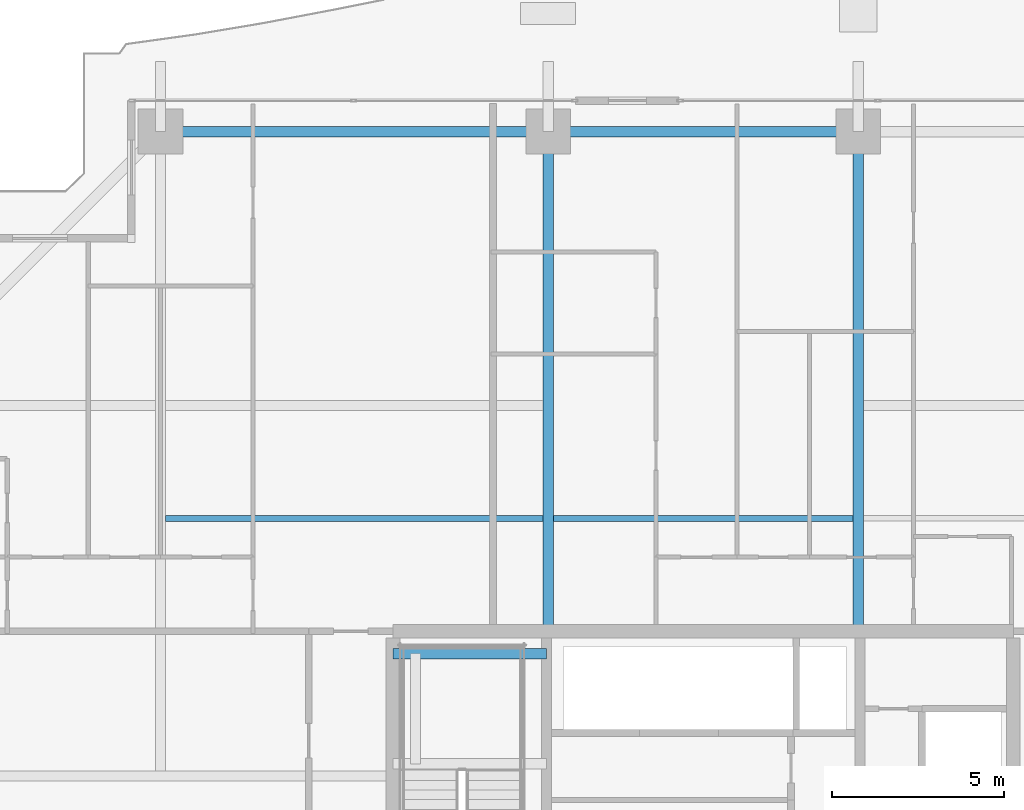
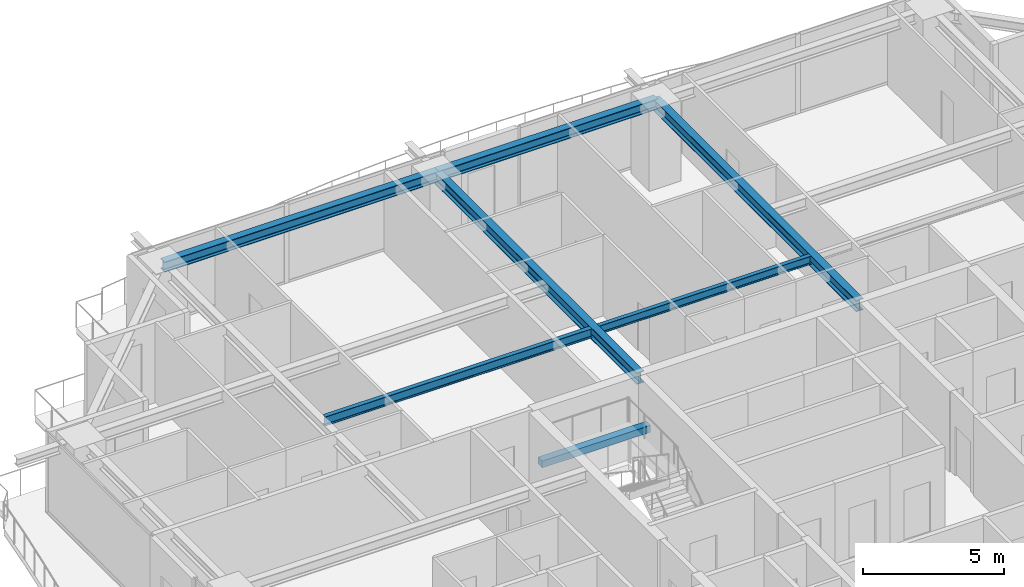
# One storey, part 20 of 37: 7 beams.
"""IFC4 building model written with IfcOpenShell, lengths in metres."""

from ifc_helpers import new_model, si_unit, direction, frame, origin, origin_2d, place, context, subcontext, project, spatial, rectangle, i_section, extrude, source, transform, mapped, material, material_profile, profile_set, type_object, element, save


model = new_model("IFC4")

# Units and contexts
model_context = context("Model", 3, precision=1e-05, world=origin(), true_north=direction((0.0, 1.0)))
body_context = subcontext(model_context, "Body", "Model", "MODEL_VIEW")
ifc_project = project(units=[si_unit("LENGTHUNIT", "METRE"), si_unit("AREAUNIT", "SQUARE_METRE"), si_unit("VOLUMEUNIT", "CUBIC_METRE"), si_unit("PLANEANGLEUNIT", "RADIAN"), si_unit("MASSUNIT", "GRAM", prefix="KILO")], contexts=[model_context])

# Site, building, storey
site_placement = place(None, origin())
site = spatial("IfcSite", under=ifc_project, at=site_placement, CompositionType="ELEMENT")
building_placement = place(site_placement, origin())
building = spatial("IfcBuilding", under=site, at=building_placement, Name="Serunith Strait Residences", CompositionType="ELEMENT")
storey_placement = place(building_placement, frame((0.0, 0.0, 153.89990234375)))
storey = spatial("IfcBuildingStorey", under=building, at=storey_placement, Name="L38", CompositionType="ELEMENT", Elevation=153.89990234375)

# Beams
ifc_material_1 = material(Name="Steel S355J2", Category="steel")
ifc_material_profile_1 = material_profile(ifc_material_1, i_section(OverallWidth=0.169921875, OverallDepth=0.360107421875, WebThickness=0.008056640625, FlangeThickness=0.0126953125, FilletRadius=0.01806640625, at=origin_2d()), Name="IPE 360")
ifc_profile_set_1 = profile_set([ifc_material_profile_1], Name="Steel S355J2")
beam_type_1 = type_object("IfcBeamType", Name="BM-IPE360", PredefinedType="JOIST", material=ifc_profile_set_1)
shared_shape_1 = source(origin(), body_context, "Body", "SweptSolid", [
    extrude(i_section(OverallWidth=0.169921875, OverallDepth=0.360107421875, WebThickness=0.008056640625, FlangeThickness=0.0126953125, FilletRadius=0.01806640625, at=origin_2d()), origin(), (0.0, 0.0, 1.0), 8.699951171875),
])
beam_1_placement = place(storey_placement, frame((28.050048828125, 36.875, 3.30712890625), z_axis=(1.0, 0.0, 0.0), x_axis=(0.0, 1.0, 0.0)))
element("IfcBeam", 1, at=beam_1_placement, inside=storey, type_object=beam_type_1, Name="L38 Composite Floor Joist 05", PredefinedType="JOIST", context=body_context, shape_type="MappedRepresentation", body=[
    mapped(shared_shape_1, transform((0.0, 0.0, 0.0), scale=1.0)),
])
ifc_material_profile_2 = material_profile(ifc_material_1, i_section(OverallWidth=0.300048828125, OverallDepth=0.449951171875, WebThickness=0.013916015625, FlangeThickness=0.02587890625, FilletRadius=0.027099609375, at=origin_2d()), Name="HEB 450")
ifc_profile_set_2 = profile_set([ifc_material_profile_2], Name="Steel S355J2")
beam_type_2 = type_object("IfcBeamType", Name="BM-HEB450", PredefinedType="BEAM", material=ifc_profile_set_2)
shared_shape_2 = source(origin(), body_context, "Body", "SweptSolid", [
    extrude(i_section(OverallWidth=0.300048828125, OverallDepth=0.449951171875, WebThickness=0.013916015625, FlangeThickness=0.02587890625, FilletRadius=0.027099609375, at=origin_2d()), origin(), (0.0, 0.0, 1.0), 9.0),
])
beam_2_placement = place(storey_placement, frame((36.89990234375, 48.10009765625, 3.26220703125), z_axis=(-1.0, 0.0, 0.0), x_axis=(0.0, -1.0, 0.0)))
element("IfcBeam", 2, at=beam_2_placement, inside=storey, type_object=beam_type_2, Name="L38 Perimeter Ring Beam 10", PredefinedType="BEAM", context=body_context, shape_type="MappedRepresentation", body=[
    mapped(shared_shape_2, transform((0.0, 0.0, 0.0), scale=1.0)),
])
ifc_material_profile_3 = material_profile(ifc_material_1, i_section(OverallWidth=0.300048828125, OverallDepth=0.5, WebThickness=0.014404296875, FlangeThickness=0.028076171875, FilletRadius=0.027099609375, at=origin_2d()), Name="HEB 500")
ifc_profile_set_3 = profile_set([ifc_material_profile_3], Name="Steel S355J2")
beam_type_3 = type_object("IfcBeamType", Name="BM-HEB500", PredefinedType="BEAM", material=ifc_profile_set_3)
shared_shape_3 = source(origin(), body_context, "Body", "SweptSolid", [
    extrude(i_section(OverallWidth=0.300048828125, OverallDepth=0.5, WebThickness=0.014404296875, FlangeThickness=0.028076171875, FilletRadius=0.027099609375, at=origin_2d()), origin(), (0.0, 0.0, 1.0), 14.5),
])
for number, where, z_axis, x_axis, name in (
    (3, (27.89990234375, 33.60009765625, 3.237060546875), (0.0, 1.0, 0.0), (-1.0, 0.0, 0.0), "L38 Primary Floor Girder TC-N2"),
    (4, (36.89990234375, 33.60009765625, 3.237060546875), (0.0, 1.0, 0.0), (-1.0, 0.0, 0.0), "L38 Primary Floor Girder TC-N3"),
):
    element("IfcBeam", number, at=place(storey_placement, frame(where, z_axis=z_axis, x_axis=x_axis)), inside=storey, type_object=beam_type_3, Name=name, PredefinedType="BEAM", context=body_context, shape_type="MappedRepresentation", body=[
        mapped(shared_shape_3, transform((0.0, 0.0, 0.0), scale=1.0)),
    ])
shared_shape_4 = source(origin(), body_context, "Body", "SweptSolid", [
    extrude(i_section(OverallWidth=0.300048828125, OverallDepth=0.449951171875, WebThickness=0.013916015625, FlangeThickness=0.02587890625, FilletRadius=0.027099609375, at=origin_2d()), origin(), (0.0, 0.0, 1.0), 11.25),
])
beam_3_placement = place(storey_placement, frame((27.89990234375, 48.10009765625, 3.26220703125), z_axis=(-1.0, 0.0, 0.0), x_axis=(0.0, -1.0, 0.0)))
element("IfcBeam", 5, at=beam_3_placement, inside=storey, type_object=beam_type_2, Name="L38 Perimeter Ring Beam 11", PredefinedType="BEAM", context=body_context, shape_type="MappedRepresentation", body=[
    mapped(shared_shape_4, transform((0.0, 0.0, 0.0), scale=1.0)),
])
ifc_material_profile_4 = material_profile(ifc_material_1, i_section(OverallWidth=0.179931640625, OverallDepth=0.39990234375, WebThickness=0.008544921875, FlangeThickness=0.013427734375, FilletRadius=0.02099609375, at=origin_2d()), Name="IPE 400")
ifc_profile_set_4 = profile_set([ifc_material_profile_4], Name="Steel S355J2")
beam_type_4 = type_object("IfcBeamType", Name="BM-IPE400", PredefinedType="JOIST", material=ifc_profile_set_4)
shared_shape_5 = source(origin(), body_context, "Body", "SweptSolid", [
    extrude(i_section(OverallWidth=0.179931640625, OverallDepth=0.39990234375, WebThickness=0.008544921875, FlangeThickness=0.013427734375, FilletRadius=0.02099609375, at=origin_2d()), origin(), (0.0, 0.0, 1.0), 10.949951171875),
])
beam_4_placement = place(storey_placement, frame((16.800048828125, 36.875, 3.287109375), z_axis=(1.0, 0.0, 0.0), x_axis=(0.0, 1.0, 0.0)))
element("IfcBeam", 6, at=beam_4_placement, inside=storey, type_object=beam_type_4, Name="L38 Composite Floor Joist 04", PredefinedType="JOIST", context=body_context, shape_type="MappedRepresentation", body=[
    mapped(shared_shape_5, transform((0.0, 0.0, 0.0), scale=1.0)),
])
ifc_material_2 = material(Name="Concrete C60/75", Category="concrete")
ifc_material_profile_5 = material_profile(ifc_material_2, rectangle(XDim=0.300048828125, YDim=0.300048828125, at=origin_2d()), Name="RC 300x300")
ifc_profile_set_5 = profile_set([ifc_material_profile_5], Name="Concrete C60/75")
beam_type_5 = type_object("IfcBeamType", Name="BM-LAND-300x300", PredefinedType="BEAM", material=ifc_profile_set_5)
shared_shape_6 = source(origin(), body_context, "Body", "SweptSolid", [
    extrude(rectangle(XDim=0.300048828125, YDim=0.300048828125, at=origin_2d()), origin(), (0.0, 0.0, 1.0), 4.4501953125),
])
beam_5_placement = place(storey_placement, frame((23.39990234375, 32.949951171875, 1.525146484375), z_axis=(1.0, 0.0, 0.0), x_axis=(0.0, 1.0, 0.0)))
element("IfcBeam", 7, at=beam_5_placement, inside=storey, type_object=beam_type_5, Name="L38 ST-1 Landing Support Beam 2", PredefinedType="BEAM", context=body_context, shape_type="MappedRepresentation", body=[
    mapped(shared_shape_6, transform((0.0, 0.0, 0.0), scale=1.0)),
])

save(model, "model.ifc")
